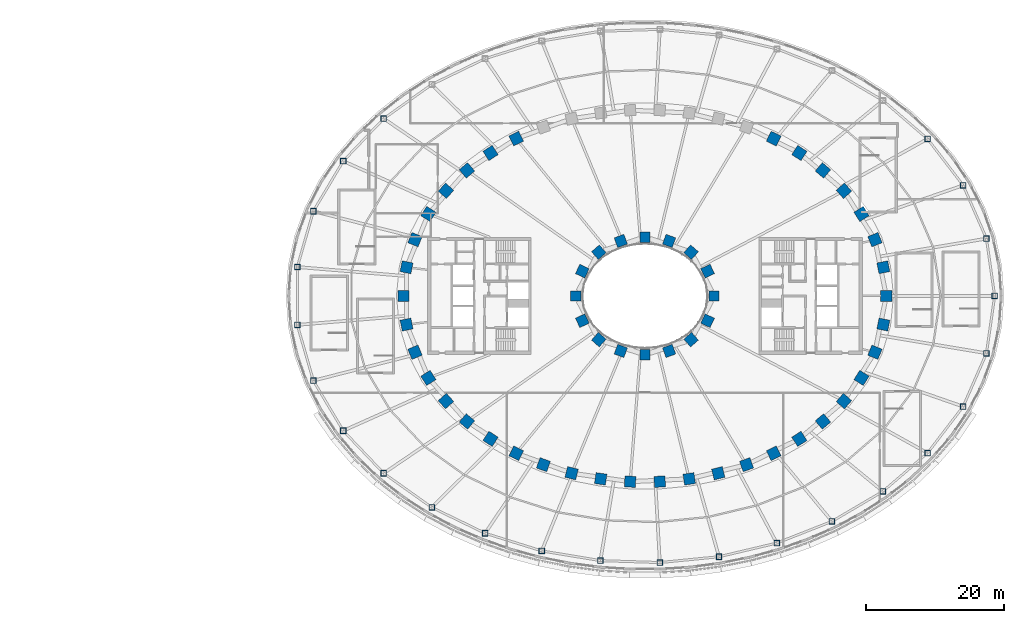
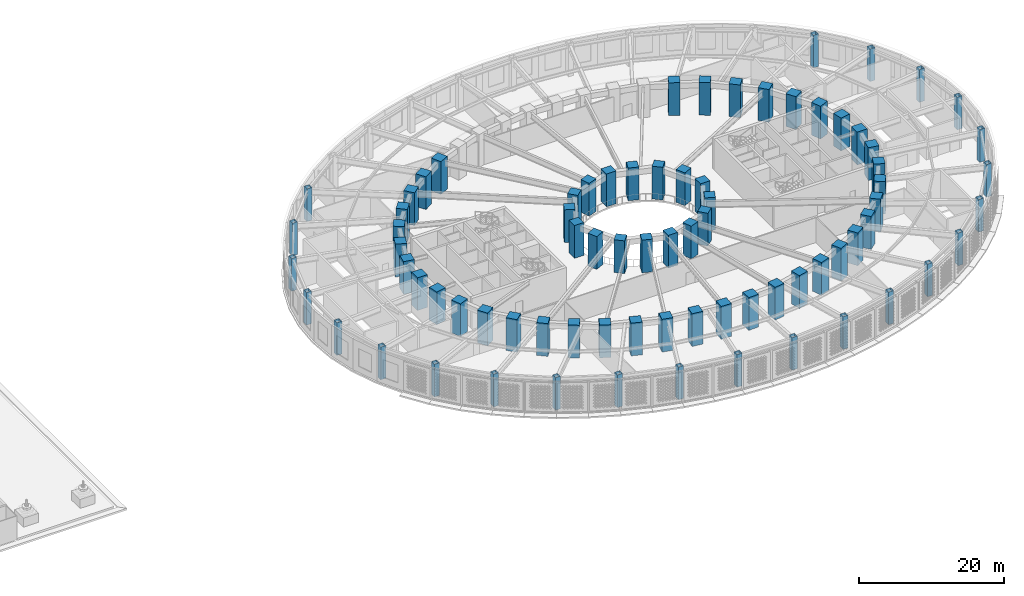
# One storey, part 1 of 63: 78 columns.
"""IFC4 building model written with IfcOpenShell, lengths in metres."""

import ifcopenshell
import ifcopenshell.guid

model = None  # the IFC model being written
_history = None  # IfcOwnerHistory: only IFC2X3 demands one
_inside = {}  # id of a spatial element -> (the spatial element, [elements in it])
_under = {}  # id of a project, library or spatial element -> (it, [spatial elements below it])
_declared = {}  # id of a project -> (the project, [libraries it declares])
_typed = {}  # id of a type object -> (the type object, [elements of that type])
_made_of = {}  # id of a material, layer set ... -> (it, [elements and type objects made of it])


def new_model(schema):
    """Start an empty IFC model of exactly this schema.

    Asked for "IFC4X3", IfcOpenShell would pick the latest addendum, in which some entities
    have other attributes; the version numbers below select the first issue.
    IFC2X3 requires an IfcOwnerHistory on every rooted entity: one is made here for all.
    """
    global model, _history
    if schema == "IFC4X3":
        model = ifcopenshell.file(schema_version=(4, 3, 0, 0))
    else:
        model = ifcopenshell.file(schema=schema)
    _inside.clear()
    _under.clear()
    _declared.clear()
    _typed.clear()
    _made_of.clear()
    _history = None
    if model.schema == "IFC2X3":
        org = make("IfcOrganization", Name="unknown")
        user = make(
            "IfcPersonAndOrganization",
            ThePerson=make("IfcPerson", FamilyName="unknown"),
            TheOrganization=org,
        )
        app = make(
            "IfcApplication",
            ApplicationDeveloper=org,
            Version="unknown",
            ApplicationFullName="unknown",
            ApplicationIdentifier="unknown",
        )
        _history = make(
            "IfcOwnerHistory",
            OwningUser=user,
            OwningApplication=app,
            ChangeAction="ADDED",
            CreationDate=0,
        )
    return model


def make(cls, **values):
    """One entity of the class cls with the attributes given. An attribute that is None is left unset."""
    return model.create_entity(
        cls, **{name: value for name, value in values.items() if value is not None}
    )


def rooted(cls, **values):
    """An entity with a GlobalId (a new one), such as an element, a storey or a relation."""
    return make(cls, GlobalId=ifcopenshell.guid.new(), OwnerHistory=_history, **values)


def si_unit(unit_type, name, prefix=None):
    """IfcSIUnit, for example si_unit("LENGTHUNIT", "METRE", prefix="MILLI")."""
    return make("IfcSIUnit", UnitType=unit_type, Prefix=prefix, Name=name)


def assignment(units):
    """IfcUnitAssignment: the units of a project."""
    return None if units is None else make("IfcUnitAssignment", Units=units)


def point(xyz):
    """IfcCartesianPoint."""
    return None if xyz is None else make("IfcCartesianPoint", Coordinates=xyz)


def direction(xyz):
    """IfcDirection."""
    return None if xyz is None else make("IfcDirection", DirectionRatios=xyz)


def frame(location, z_axis=None, x_axis=None):
    """IfcAxis2Placement3D, a coordinate frame: its origin and axes. An axis left out is left unset."""
    return make(
        "IfcAxis2Placement3D",
        Location=point(location),
        Axis=direction(z_axis),
        RefDirection=direction(x_axis),
    )


def frame_2d(location, x_axis=None):
    """IfcAxis2Placement2D, a coordinate frame in the plane: its origin and x axis."""
    return make(
        "IfcAxis2Placement2D", Location=point(location), RefDirection=direction(x_axis)
    )


def origin():
    """The frame at (0, 0, 0) with its axes left unset."""
    return frame((0.0, 0.0, 0.0))


def origin_2d():
    """The frame at (0, 0) in the plane with its x axis left unset."""
    return frame_2d((0.0, 0.0))


def place(relative_to, where):
    """IfcLocalPlacement: puts the frame where relative to a parent placement (None: the world)."""
    return make(
        "IfcLocalPlacement", PlacementRelTo=relative_to, RelativePlacement=where
    )


def context(
    kind, dimensions, precision=None, world=None, true_north=None, identifier=None
):
    """IfcGeometricRepresentationContext, for example the 3D "Model" context."""
    return make(
        "IfcGeometricRepresentationContext",
        ContextIdentifier=identifier,
        ContextType=kind,
        CoordinateSpaceDimension=dimensions,
        Precision=precision,
        WorldCoordinateSystem=world,
        TrueNorth=true_north,
    )


def subcontext(parent, identifier, kind, view, scale=None):
    """IfcGeometricRepresentationSubContext, for example "Body" below "Model"."""
    return make(
        "IfcGeometricRepresentationSubContext",
        ContextIdentifier=identifier,
        ContextType=kind,
        ParentContext=parent,
        TargetScale=scale,
        TargetView=view,
    )


def project(units=None, contexts=None):
    """IfcProject with its units and contexts."""
    return rooted(
        "IfcProject",
        Name="project",
        RepresentationContexts=contexts,
        UnitsInContext=assignment(units),
    )


def spatial(cls, under=None, at=None, **own):
    """A site, building, storey or space (cls), placed at a placement, below another one or the project."""
    s = rooted(cls, ObjectPlacement=at, **own)
    if under is not None:
        _under.setdefault(under.id(), (under, []))[1].append(s)
    return s


def profile(cls, at=None, kind="AREA", **sizes):
    """A parametric profile (cls). Its sizes go by their IFC names, for example OverallWidth=200.0."""
    return make(cls, ProfileType=kind, Position=at, **sizes)


def rectangle(**sizes):
    """IfcRectangleProfileDef."""
    return profile("IfcRectangleProfileDef", **sizes)


def hollow_rectangle(**sizes):
    """IfcRectangleHollowProfileDef."""
    return profile("IfcRectangleHollowProfileDef", **sizes)


def extrude(swept, where, along, depth):
    """IfcExtrudedAreaSolid: the profile swept, set in the frame where, extruded along a direction by depth."""
    return make(
        "IfcExtrudedAreaSolid",
        SweptArea=swept,
        Position=where,
        ExtrudedDirection=direction(along),
        Depth=depth,
    )


def shape(context_of_items, identifier, shape_type, items):
    """IfcShapeRepresentation: the items that make up one representation, for example the "Body"."""
    return make(
        "IfcShapeRepresentation",
        ContextOfItems=context_of_items,
        RepresentationIdentifier=identifier,
        RepresentationType=shape_type,
        Items=items,
    )


def material(Name=None, Category=None):
    """IfcMaterial."""
    return make("IfcMaterial", Name=Name, Category=Category)


def material_profile(
    of_material, cross_section, Name=None, Category=None, Priority=None
):
    """IfcMaterialProfile: a cross section and its material."""
    return make(
        "IfcMaterialProfile",
        Name=Name,
        Material=of_material,
        Profile=cross_section,
        Priority=Priority,
        Category=Category,
    )


def profile_set(profiles, Name=None, composite=None):
    """IfcMaterialProfileSet."""
    return make(
        "IfcMaterialProfileSet",
        Name=Name,
        MaterialProfiles=profiles,
        CompositeProfile=composite,
    )


def made_of(thing, what):
    """Note that an element or type object is made of a material, layer set ...; save() writes the relation."""
    if what is not None:
        _made_of.setdefault(what.id(), (what, []))[1].append(thing)
    return thing


def type_object(cls, material=None, **own):
    """A type object (cls), such as IfcWallType, which elements share."""
    return made_of(rooted(cls, **own), material)


def element(
    cls,
    number,
    at=None,
    inside=None,
    cuts=None,
    type_object=None,
    material=None,
    context=None,
    identifier="Body",
    shape_type=None,
    held_by="IfcProductDefinitionShape",
    body=None,
    shapes=None,
    **own,
):
    """One element of the class cls, such as IfcWall. Its Tag is "e" and its number.

    at: its placement. inside: the storey or other place that contains it. cuts: it is an
    opening in that element (IfcRelVoidsElement). A single representation is given by context,
    identifier, shape_type and body (its items); several are given by shapes. held_by: the class
    of the entity that holds the representations. save() writes the other relations.
    """
    e = rooted(cls, Tag="e%d" % number, ObjectPlacement=at, **own)
    if body is not None:
        shapes = [shape(context, identifier, shape_type, body)]
    if shapes is not None:
        e.Representation = make(held_by, Representations=shapes)
    if inside is not None:
        _inside.setdefault(inside.id(), (inside, []))[1].append(e)
    if cuts is not None:
        rooted(
            "IfcRelVoidsElement", RelatingBuildingElement=cuts, RelatedOpeningElement=e
        )
    if type_object is not None:
        _typed.setdefault(type_object.id(), (type_object, []))[1].append(e)
    return made_of(e, material)


def aggregate(whole, parts):
    """IfcRelAggregates: a whole, such as a stair, and the parts it consists of."""
    return rooted("IfcRelAggregates", RelatingObject=whole, RelatedObjects=parts)


def save(model, path):
    """Write the relations noted so far, then the file.

    IfcRelAggregates (storeys below a building ...), IfcRelContainedInSpatialStructure (elements
    in a storey), IfcRelDefinesByType, IfcRelAssociatesMaterial and IfcRelDeclares: one each for
    every whole, place, type object, material and project.
    """
    for whole, parts in _under.values():
        aggregate(whole, parts)
    for where, things in _inside.values():
        rooted(
            "IfcRelContainedInSpatialStructure",
            RelatedElements=things,
            RelatingStructure=where,
        )
    for kind, things in _typed.values():
        rooted("IfcRelDefinesByType", RelatedObjects=things, RelatingType=kind)
    for what, things in _made_of.values():
        rooted("IfcRelAssociatesMaterial", RelatedObjects=things, RelatingMaterial=what)
    for by, libraries in _declared.values():
        rooted("IfcRelDeclares", RelatingContext=by, RelatedDefinitions=libraries)
    model.write(path)


model = new_model("IFC4")

# Units and contexts
model_context = context("Model", 3, precision=1e-05, world=origin(), true_north=direction((0.0, 1.0)))
body_context = subcontext(model_context, "Body", "Model", "MODEL_VIEW")
ifc_project = project(units=[si_unit("LENGTHUNIT", "METRE"), si_unit("AREAUNIT", "SQUARE_METRE"), si_unit("VOLUMEUNIT", "CUBIC_METRE"), si_unit("PLANEANGLEUNIT", "RADIAN"), si_unit("MASSUNIT", "GRAM", prefix="KILO")], contexts=[model_context])

# Site, building, storey
site_placement = place(None, origin())
site = spatial("IfcSite", under=ifc_project, at=site_placement, CompositionType="ELEMENT")
building_placement = place(site_placement, origin())
building = spatial("IfcBuilding", under=site, at=building_placement, Name="Noorbagh Ring Tower", CompositionType="ELEMENT")
storey_placement = place(building_placement, frame((0.0, 0.0, 25.0)))
storey = spatial("IfcBuildingStorey", under=building, at=storey_placement, Name="L04", CompositionType="ELEMENT", Elevation=25.0)

# Columns
ifc_material_1 = material(Name="Steel S355", Category="steel")
ifc_material_profile_1 = material_profile(ifc_material_1, hollow_rectangle(XDim=0.800048828125, YDim=0.800048828125, WallThickness=0.0400390625, at=origin_2d()), Name="BOX800x800x40")
ifc_profile_set_1 = profile_set([ifc_material_profile_1], Name="Steel S355")
column_type_1 = type_object("IfcColumnType", Name="GND-COL-BOX800x800x40", PredefinedType="COLUMN", material=ifc_profile_set_1)
for number, where, z_axis, x_axis, name in (
    (1, (50.646484375, 0.0, 0.0), (0.0, 0.0, 1.0), (1.0, 0.0, 0.0), "L04/col/RP-01"),
    (2, (49.4609375, 8.304443359375, 0.0), (0.0, 0.0, 1.0), (1.0, 0.0, 0.0), "L04/col/RP-02"),
    (3, (46.081298828125, 16.021240234375, 0.0), (0.0, 0.0, 1.0), (1.0, 0.0, 0.0), "L04/col/RP-03"),
    (4, (40.927734375, 22.75, 0.0), (0.0, 0.0, 1.0), (1.0, 0.0, 0.0), "L04/col/RP-04"),
    (5, (-37.8330078125, 25.679931640625, 0.0), (0.0, 0.0, 1.0), (1.0, 0.0, 0.0), "L04/col/RP-14"),
    (6, (-43.6962890625, 19.52490234375, 0.0), (0.0, 0.0, 1.0), (1.0, 0.0, 0.0), "L04/col/RP-15"),
    (7, (-48.0224609375, 12.266845703125, 0.0), (0.0, 0.0, 1.0), (1.0, 0.0, 0.0), "L04/col/RP-16"),
    (8, (-50.34716796875, 4.191650390625, 0.0), (0.0, 0.0, 1.0), (1.0, 0.0, 0.0), "L04/col/RP-17"),
    (9, (-50.34716796875, -4.191650390625, 0.0), (0.0, 0.0, 1.0), (1.0, 0.0, 0.0), "L04/col/RP-18"),
    (10, (-48.0224609375, -12.266845703125, 0.0), (0.0, 0.0, 1.0), (1.0, 0.0, 0.0), "L04/col/RP-19"),
    (11, (-43.6962890625, -19.52490234375, 0.0), (0.0, 0.0, 1.0), (1.0, 0.0, 0.0), "L04/col/RP-20"),
    (12, (-37.8330078125, -25.679931640625, 0.0), (0.0, 0.0, 1.0), (1.0, 0.0, 0.0), "L04/col/RP-21"),
    (13, (-30.869384765625, -30.629150390625, 0.0), (0.0, 0.0, 1.0), (1.0, 0.0, 0.0), "L04/col/RP-22"),
    (14, (-23.152587890625, -34.36767578125, 0.0), (0.0, 0.0, 1.0), (1.0, 0.0, 0.0), "L04/col/RP-23"),
    (15, (-14.946044921875, -36.925048828125, 0.0), (0.0, 0.0, 1.0), (1.0, 0.0, 0.0), "L04/col/RP-24"),
    (16, (-6.4541015625, -38.33349609375, 0.0), (0.0, 0.0, 1.0), (1.0, 0.0, 0.0), "L04/col/RP-25"),
    (17, (2.154541015625, -38.6142578125, 0.0), (0.0, 0.0, 1.0), (1.0, 0.0, 0.0), "L04/col/RP-26"),
    (18, (10.724609375, -37.771240234375, 0.0), (0.0, 0.0, 1.0), (1.0, 0.0, 0.0), "L04/col/RP-27"),
    (19, (19.0966796875, -35.791748046875, 0.0), (0.0, 0.0, 1.0), (1.0, 0.0, 0.0), "L04/col/RP-28"),
    (20, (27.0869140625, -32.648193359375, 0.0), (0.0, 0.0, 1.0), (1.0, 0.0, 0.0), "L04/col/RP-29"),
    (21, (34.46484375, -28.306884765625, 0.0), (0.0, 0.0, 1.0), (1.0, 0.0, 0.0), "L04/col/RP-30"),
    (22, (40.927734375, -22.75, 0.0), (0.0, 0.0, 1.0), (1.0, 0.0, 0.0), "L04/col/RP-31"),
    (23, (46.081298828125, -16.021240234375, 0.0), (0.0, 0.0, 1.0), (1.0, 0.0, 0.0), "L04/col/RP-32"),
    (24, (49.4609375, -8.304443359375, 0.0), (0.0, 0.0, 1.0), (1.0, 0.0, 0.0), "L04/col/RP-33"),
):
    element("IfcColumn", number, at=place(storey_placement, frame(where, z_axis=z_axis, x_axis=x_axis)), inside=storey, type_object=column_type_1, Name=name, PredefinedType="COLUMN", context=body_context, shape_type="SweptSolid", body=[
        extrude(hollow_rectangle(XDim=0.800048828125, YDim=0.800048828125, WallThickness=0.0400390625, at=origin_2d()), origin(), (0.0, 0.0, 1.0), 5.488037109375),
    ])
ifc_material_2 = material(Name="Concrete C70/85", Category="concrete")
ifc_material_profile_2 = material_profile(ifc_material_2, rectangle(XDim=1.60009765625, YDim=1.60009765625, at=origin_2d()), Name="RC1600x1600")
ifc_profile_set_2 = profile_set([ifc_material_profile_2], Name="Concrete C70/85")
column_type_2 = type_object("IfcColumnType", Name="STR-COL-RC1600x1600-C70-85", PredefinedType="COLUMN", material=ifc_profile_set_2)
for number, where, z_axis, x_axis, name in (
    (25, (34.944580078125, 0.0, 0.0), (0.0, 0.0, 1.0), (0.0, 1.0, 0.0), "L04/col/R1-01"),
    (26, (34.52685546875, 4.150634765625, 0.0), (0.0, 0.0, 1.0), (-0.19723040178, 0.9803571638, 0.0), "L04/col/R1-02"),
    (27, (33.30517578125, 8.1494140625, 0.0), (0.0, 0.0, 1.0), (-0.378989499959, 0.925400971969, 0.0), "L04/col/R1-03"),
    (28, (31.364990234375, 11.87109375, 0.0), (0.0, 0.0, 1.0), (-0.535190403059, 0.844731455833, 0.0), "L04/col/R1-04"),
    (29, (28.81884765625, 15.23046875, 0.0), (0.0, 0.0, 1.0), (-0.662635642662, 0.748941923699, 0.0), "L04/col/R1-05"),
    (30, (25.78271484375, 18.180419921875, 0.0), (0.0, 0.0, 1.0), (-0.763035199656, 0.646356932419, 0.0), "L04/col/R1-06"),
    (31, (22.362060546875, 20.699951171875, 0.0), (0.0, 0.0, 1.0), (-0.840247639643, 0.542202825586, 0.0), "L04/col/R1-07"),
    (32, (18.646240234375, 22.785400390625, 0.0), (0.0, 0.0, 1.0), (-0.898399080868, 0.439180021741, 0.0), "L04/col/R1-08"),
    (33, (-18.646240234375, 22.785400390625, 0.0), (0.0, 0.0, 1.0), (-0.898399080868, -0.439180021741, 0.0), "L04/col/R1-17"),
    (34, (-22.362060546875, 20.699951171875, 0.0), (0.0, 0.0, 1.0), (-0.840247639643, -0.542202825586, 0.0), "L04/col/R1-18"),
    (35, (-25.78271484375, 18.180419921875, 0.0), (0.0, 0.0, 1.0), (-0.763035199656, -0.646356932419, 0.0), "L04/col/R1-19"),
    (36, (-28.81884765625, 15.23046875, 0.0), (0.0, 0.0, 1.0), (-0.662635642662, -0.748941923699, 0.0), "L04/col/R1-20"),
    (37, (-31.364990234375, 11.87109375, 0.0), (0.0, 0.0, 1.0), (-0.535190403059, -0.844731455833, 0.0), "L04/col/R1-21"),
    (38, (-33.30517578125, 8.1494140625, 0.0), (0.0, 0.0, 1.0), (-0.378989499959, -0.925400971969, 0.0), "L04/col/R1-22"),
    (39, (-34.52685546875, 4.150634765625, 0.0), (0.0, 0.0, 1.0), (-0.19723040178, -0.9803571638, 0.0), "L04/col/R1-23"),
    (40, (-34.944580078125, 0.0, 0.0), (0.0, 0.0, 1.0), (0.0, -1.0, 0.0), "L04/col/R1-24"),
    (41, (-34.52685546875, -4.150634765625, 0.0), (0.0, 0.0, 1.0), (0.19723040178, -0.9803571638, 0.0), "L04/col/R1-25"),
    (42, (-33.30517578125, -8.1494140625, 0.0), (0.0, 0.0, 1.0), (0.378989499959, -0.925400971969, 0.0), "L04/col/R1-26"),
    (43, (-31.364990234375, -11.87109375, 0.0), (0.0, 0.0, 1.0), (0.535190403059, -0.844731455833, 0.0), "L04/col/R1-27"),
    (44, (-28.81884765625, -15.23046875, 0.0), (0.0, 0.0, 1.0), (0.662635642662, -0.748941923699, 0.0), "L04/col/R1-28"),
    (45, (-25.78271484375, -18.180419921875, 0.0), (0.0, 0.0, 1.0), (0.763035199656, -0.646356932419, 0.0), "L04/col/R1-29"),
    (46, (-22.362060546875, -20.699951171875, 0.0), (0.0, 0.0, 1.0), (0.840247639643, -0.542202825586, 0.0), "L04/col/R1-30"),
    (47, (-18.646240234375, -22.785400390625, 0.0), (0.0, 0.0, 1.0), (0.898399080868, -0.439180021741, 0.0), "L04/col/R1-31"),
    (48, (-14.70947265625, -24.44091796875, 0.0), (0.0, 0.0, 1.0), (0.941024726094, -0.338337797003, 0.0), "L04/col/R1-32"),
    (49, (-10.61328125, -25.673583984375, 0.0), (0.0, 0.0, 1.0), (0.970829360981, -0.239771457553, 0.0), "L04/col/R1-33"),
    (50, (-6.4091796875, -26.49072265625, 0.0), (0.0, 0.0, 1.0), (0.989713114048, -0.143066249975, 0.0), "L04/col/R1-34"),
    (51, (-2.14306640625, -26.89794921875, 0.0), (0.0, 0.0, 1.0), (0.998868731212, -0.047552684538, 0.0), "L04/col/R1-35"),
    (52, (2.14306640625, -26.89794921875, 0.0), (0.0, 0.0, 1.0), (0.998868731212, 0.047552684538, 0.0), "L04/col/R1-36"),
    (53, (6.4091796875, -26.49072265625, 0.0), (0.0, 0.0, 1.0), (0.989713114048, 0.143066249975, 0.0), "L04/col/R1-37"),
    (54, (10.61328125, -25.673583984375, 0.0), (0.0, 0.0, 1.0), (0.970829360981, 0.239771457553, 0.0), "L04/col/R1-38"),
    (55, (14.70947265625, -24.44091796875, 0.0), (0.0, 0.0, 1.0), (0.941024726094, 0.338337797003, 0.0), "L04/col/R1-39"),
    (56, (18.646240234375, -22.785400390625, 0.0), (0.0, 0.0, 1.0), (0.898399080868, 0.439180021741, 0.0), "L04/col/R1-40"),
    (57, (22.362060546875, -20.699951171875, 0.0), (0.0, 0.0, 1.0), (0.840247639643, 0.542202825586, 0.0), "L04/col/R1-41"),
    (58, (25.78271484375, -18.180419921875, 0.0), (0.0, 0.0, 1.0), (0.763035199656, 0.646356932419, 0.0), "L04/col/R1-42"),
    (59, (28.81884765625, -15.23046875, 0.0), (0.0, 0.0, 1.0), (0.662635642662, 0.748941923699, 0.0), "L04/col/R1-43"),
    (60, (31.364990234375, -11.87109375, 0.0), (0.0, 0.0, 1.0), (0.535190403059, 0.844731455833, 0.0), "L04/col/R1-44"),
    (61, (33.30517578125, -8.1494140625, 0.0), (0.0, 0.0, 1.0), (0.378989499959, 0.925400971969, 0.0), "L04/col/R1-45"),
    (62, (34.52685546875, -4.150634765625, 0.0), (0.0, 0.0, 1.0), (0.19723040178, 0.9803571638, 0.0), "L04/col/R1-46"),
):
    element("IfcColumn", number, at=place(storey_placement, frame(where, z_axis=z_axis, x_axis=x_axis)), inside=storey, type_object=column_type_2, Name=name, PredefinedType="COLUMN", context=body_context, shape_type="SweptSolid", body=[
        extrude(rectangle(XDim=1.60009765625, YDim=1.60009765625, at=origin_2d()), origin(), (0.0, 0.0, 1.0), 5.5),
    ])
ifc_material_3 = material(Name="Concrete C70/85", Category="concrete")
ifc_material_profile_3 = material_profile(ifc_material_3, rectangle(XDim=1.5, YDim=1.5, at=origin_2d()), Name="RC1500x1500")
ifc_profile_set_3 = profile_set([ifc_material_profile_3], Name="Concrete C70/85")
column_type_3 = type_object("IfcColumnType", Name="STR-ICOL-RC1500x1500-C70-85", PredefinedType="COLUMN", material=ifc_profile_set_3)
for number, where, z_axis, x_axis, name in (
    (63, (10.00830078125, 0.0, 0.0), (0.0, 0.0, 1.0), (0.0, 1.0, 0.0), "L04/col/IR2-W01"),
    (64, (9.07568359375, 3.58837890625, 0.0), (0.0, 0.0, 1.0), (-0.428666979171, 0.903462573087, 0.0), "L04/col/IR2-W03"),
    (65, (6.68212890625, 6.333740234375, 0.0), (0.0, 0.0, 1.0), (-0.75102249095, 0.660276622399, 0.0), "L04/col/IR2-W05"),
    (66, (3.5009765625, 7.967041015625, 0.0), (0.0, 0.0, 1.0), (-0.939019578916, 0.343863679984, 0.0), "L04/col/IR2-W07"),
    (67, (0.0, 8.5029296875, 0.0), (0.0, 0.0, 1.0), (-1.0, 0.0, 0.0), "L04/col/IR2-W09"),
    (68, (-3.5009765625, 7.967041015625, 0.0), (0.0, 0.0, 1.0), (-0.939019578916, -0.343863679984, 0.0), "L04/col/IR2-W11"),
    (69, (-6.68212890625, 6.333740234375, 0.0), (0.0, 0.0, 1.0), (-0.75102249095, -0.660276622399, 0.0), "L04/col/IR2-W13"),
    (70, (-9.07568359375, 3.58837890625, 0.0), (0.0, 0.0, 1.0), (-0.428666979171, -0.903462573087, 0.0), "L04/col/IR2-W15"),
    (71, (-10.00830078125, 0.0, 0.0), (0.0, 0.0, 1.0), (0.0, -1.0, 0.0), "L04/col/IR2-W17"),
    (72, (-9.07568359375, -3.58837890625, 0.0), (0.0, 0.0, 1.0), (0.428666979171, -0.903462573087, 0.0), "L04/col/IR2-W19"),
    (73, (-6.68212890625, -6.333740234375, 0.0), (0.0, 0.0, 1.0), (0.75102249095, -0.660276622399, 0.0), "L04/col/IR2-W21"),
    (74, (-3.5009765625, -7.967041015625, 0.0), (0.0, 0.0, 1.0), (0.939019578916, -0.343863679984, 0.0), "L04/col/IR2-W23"),
    (75, (0.0, -8.5029296875, 0.0), (0.0, 0.0, 1.0), (1.0, 0.0, 0.0), "L04/col/IR2-W25"),
    (76, (3.5009765625, -7.967041015625, 0.0), (0.0, 0.0, 1.0), (0.939019578916, 0.343863679984, 0.0), "L04/col/IR2-W27"),
    (77, (6.68212890625, -6.333740234375, 0.0), (0.0, 0.0, 1.0), (0.75102249095, 0.660276622399, 0.0), "L04/col/IR2-W29"),
    (78, (9.07568359375, -3.58837890625, 0.0), (0.0, 0.0, 1.0), (0.428666979171, 0.903462573087, 0.0), "L04/col/IR2-W31"),
):
    element("IfcColumn", number, at=place(storey_placement, frame(where, z_axis=z_axis, x_axis=x_axis)), inside=storey, type_object=column_type_3, Name=name, PredefinedType="COLUMN", context=body_context, shape_type="SweptSolid", body=[
        extrude(rectangle(XDim=1.5, YDim=1.5, at=origin_2d()), origin(), (0.0, 0.0, 1.0), 5.5),
    ])

save(model, "model.ifc")
